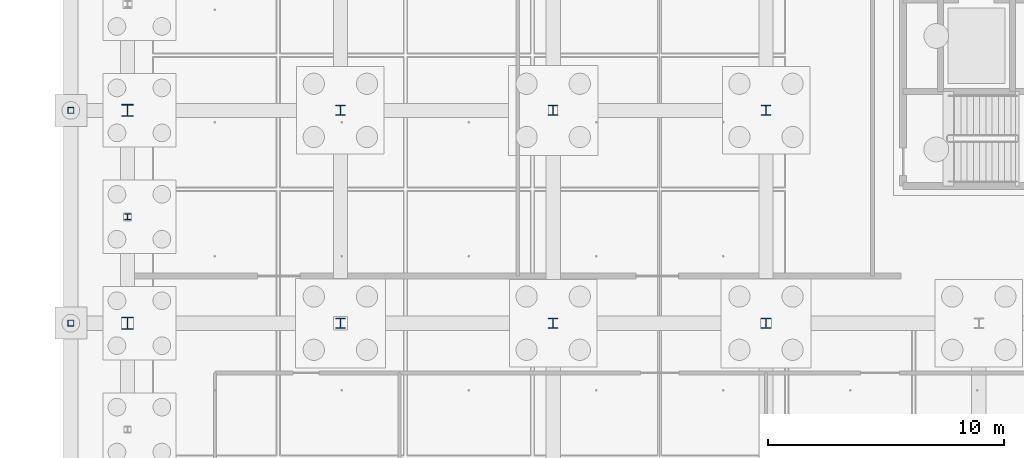
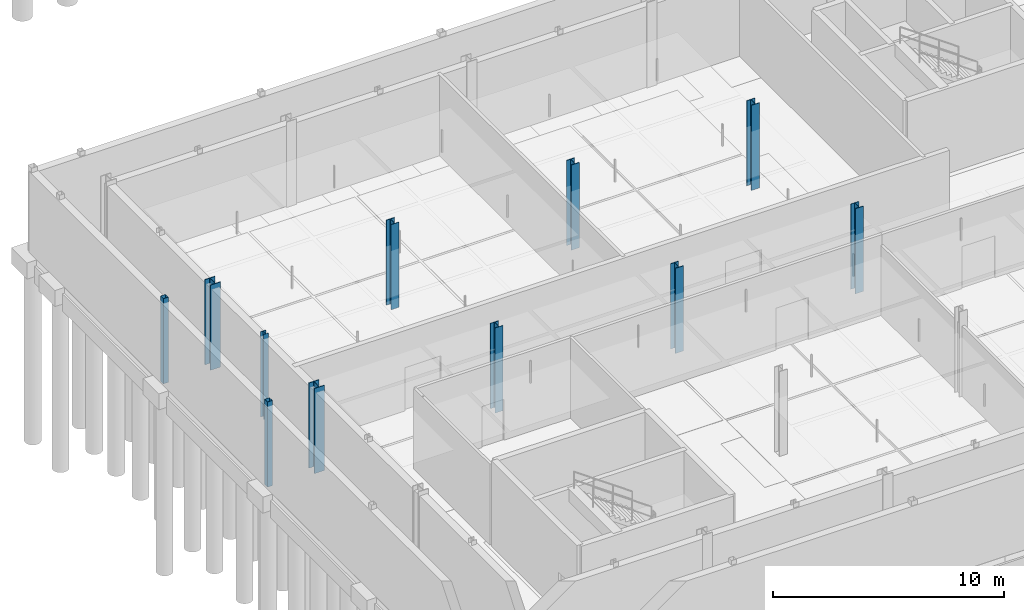
# One storey, part 7 of 48: 11 columns.
"""IFC4 building model written with IfcOpenShell, lengths in metres."""

import ifcopenshell
import ifcopenshell.guid

model = None  # the IFC model being written
_history = None  # IfcOwnerHistory: only IFC2X3 demands one
_inside = {}  # id of a spatial element -> (the spatial element, [elements in it])
_under = {}  # id of a project, library or spatial element -> (it, [spatial elements below it])
_declared = {}  # id of a project -> (the project, [libraries it declares])
_typed = {}  # id of a type object -> (the type object, [elements of that type])
_made_of = {}  # id of a material, layer set ... -> (it, [elements and type objects made of it])


def new_model(schema):
    """Start an empty IFC model of exactly this schema.

    Asked for "IFC4X3", IfcOpenShell would pick the latest addendum, in which some entities
    have other attributes; the version numbers below select the first issue.
    IFC2X3 requires an IfcOwnerHistory on every rooted entity: one is made here for all.
    """
    global model, _history
    if schema == "IFC4X3":
        model = ifcopenshell.file(schema_version=(4, 3, 0, 0))
    else:
        model = ifcopenshell.file(schema=schema)
    _inside.clear()
    _under.clear()
    _declared.clear()
    _typed.clear()
    _made_of.clear()
    _history = None
    if model.schema == "IFC2X3":
        org = make("IfcOrganization", Name="unknown")
        user = make(
            "IfcPersonAndOrganization",
            ThePerson=make("IfcPerson", FamilyName="unknown"),
            TheOrganization=org,
        )
        app = make(
            "IfcApplication",
            ApplicationDeveloper=org,
            Version="unknown",
            ApplicationFullName="unknown",
            ApplicationIdentifier="unknown",
        )
        _history = make(
            "IfcOwnerHistory",
            OwningUser=user,
            OwningApplication=app,
            ChangeAction="ADDED",
            CreationDate=0,
        )
    return model


def make(cls, **values):
    """One entity of the class cls with the attributes given. An attribute that is None is left unset."""
    return model.create_entity(
        cls, **{name: value for name, value in values.items() if value is not None}
    )


def rooted(cls, **values):
    """An entity with a GlobalId (a new one), such as an element, a storey or a relation."""
    return make(cls, GlobalId=ifcopenshell.guid.new(), OwnerHistory=_history, **values)


def si_unit(unit_type, name, prefix=None):
    """IfcSIUnit, for example si_unit("LENGTHUNIT", "METRE", prefix="MILLI")."""
    return make("IfcSIUnit", UnitType=unit_type, Prefix=prefix, Name=name)


def assignment(units):
    """IfcUnitAssignment: the units of a project."""
    return None if units is None else make("IfcUnitAssignment", Units=units)


def point(xyz):
    """IfcCartesianPoint."""
    return None if xyz is None else make("IfcCartesianPoint", Coordinates=xyz)


def direction(xyz):
    """IfcDirection."""
    return None if xyz is None else make("IfcDirection", DirectionRatios=xyz)


def frame(location, z_axis=None, x_axis=None):
    """IfcAxis2Placement3D, a coordinate frame: its origin and axes. An axis left out is left unset."""
    return make(
        "IfcAxis2Placement3D",
        Location=point(location),
        Axis=direction(z_axis),
        RefDirection=direction(x_axis),
    )


def frame_2d(location, x_axis=None):
    """IfcAxis2Placement2D, a coordinate frame in the plane: its origin and x axis."""
    return make(
        "IfcAxis2Placement2D", Location=point(location), RefDirection=direction(x_axis)
    )


def origin():
    """The frame at (0, 0, 0) with its axes left unset."""
    return frame((0.0, 0.0, 0.0))


def origin_2d():
    """The frame at (0, 0) in the plane with its x axis left unset."""
    return frame_2d((0.0, 0.0))


def place(relative_to, where):
    """IfcLocalPlacement: puts the frame where relative to a parent placement (None: the world)."""
    return make(
        "IfcLocalPlacement", PlacementRelTo=relative_to, RelativePlacement=where
    )


def context(
    kind, dimensions, precision=None, world=None, true_north=None, identifier=None
):
    """IfcGeometricRepresentationContext, for example the 3D "Model" context."""
    return make(
        "IfcGeometricRepresentationContext",
        ContextIdentifier=identifier,
        ContextType=kind,
        CoordinateSpaceDimension=dimensions,
        Precision=precision,
        WorldCoordinateSystem=world,
        TrueNorth=true_north,
    )


def subcontext(parent, identifier, kind, view, scale=None):
    """IfcGeometricRepresentationSubContext, for example "Body" below "Model"."""
    return make(
        "IfcGeometricRepresentationSubContext",
        ContextIdentifier=identifier,
        ContextType=kind,
        ParentContext=parent,
        TargetScale=scale,
        TargetView=view,
    )


def project(units=None, contexts=None):
    """IfcProject with its units and contexts."""
    return rooted(
        "IfcProject",
        Name="project",
        RepresentationContexts=contexts,
        UnitsInContext=assignment(units),
    )


def spatial(cls, under=None, at=None, **own):
    """A site, building, storey or space (cls), placed at a placement, below another one or the project."""
    s = rooted(cls, ObjectPlacement=at, **own)
    if under is not None:
        _under.setdefault(under.id(), (under, []))[1].append(s)
    return s


def profile(cls, at=None, kind="AREA", **sizes):
    """A parametric profile (cls). Its sizes go by their IFC names, for example OverallWidth=200.0."""
    return make(cls, ProfileType=kind, Position=at, **sizes)


def hollow_rectangle(**sizes):
    """IfcRectangleHollowProfileDef."""
    return profile("IfcRectangleHollowProfileDef", **sizes)


def i_section(**sizes):
    """IfcIShapeProfileDef."""
    return profile("IfcIShapeProfileDef", **sizes)


def extrude(swept, where, along, depth):
    """IfcExtrudedAreaSolid: the profile swept, set in the frame where, extruded along a direction by depth."""
    return make(
        "IfcExtrudedAreaSolid",
        SweptArea=swept,
        Position=where,
        ExtrudedDirection=direction(along),
        Depth=depth,
    )


def shape(context_of_items, identifier, shape_type, items):
    """IfcShapeRepresentation: the items that make up one representation, for example the "Body"."""
    return make(
        "IfcShapeRepresentation",
        ContextOfItems=context_of_items,
        RepresentationIdentifier=identifier,
        RepresentationType=shape_type,
        Items=items,
    )


def material(Name=None, Category=None):
    """IfcMaterial."""
    return make("IfcMaterial", Name=Name, Category=Category)


def material_profile(
    of_material, cross_section, Name=None, Category=None, Priority=None
):
    """IfcMaterialProfile: a cross section and its material."""
    return make(
        "IfcMaterialProfile",
        Name=Name,
        Material=of_material,
        Profile=cross_section,
        Priority=Priority,
        Category=Category,
    )


def profile_set(profiles, Name=None, composite=None):
    """IfcMaterialProfileSet."""
    return make(
        "IfcMaterialProfileSet",
        Name=Name,
        MaterialProfiles=profiles,
        CompositeProfile=composite,
    )


def made_of(thing, what):
    """Note that an element or type object is made of a material, layer set ...; save() writes the relation."""
    if what is not None:
        _made_of.setdefault(what.id(), (what, []))[1].append(thing)
    return thing


def type_object(cls, material=None, **own):
    """A type object (cls), such as IfcWallType, which elements share."""
    return made_of(rooted(cls, **own), material)


def element(
    cls,
    number,
    at=None,
    inside=None,
    cuts=None,
    type_object=None,
    material=None,
    context=None,
    identifier="Body",
    shape_type=None,
    held_by="IfcProductDefinitionShape",
    body=None,
    shapes=None,
    **own,
):
    """One element of the class cls, such as IfcWall. Its Tag is "e" and its number.

    at: its placement. inside: the storey or other place that contains it. cuts: it is an
    opening in that element (IfcRelVoidsElement). A single representation is given by context,
    identifier, shape_type and body (its items); several are given by shapes. held_by: the class
    of the entity that holds the representations. save() writes the other relations.
    """
    e = rooted(cls, Tag="e%d" % number, ObjectPlacement=at, **own)
    if body is not None:
        shapes = [shape(context, identifier, shape_type, body)]
    if shapes is not None:
        e.Representation = make(held_by, Representations=shapes)
    if inside is not None:
        _inside.setdefault(inside.id(), (inside, []))[1].append(e)
    if cuts is not None:
        rooted(
            "IfcRelVoidsElement", RelatingBuildingElement=cuts, RelatedOpeningElement=e
        )
    if type_object is not None:
        _typed.setdefault(type_object.id(), (type_object, []))[1].append(e)
    return made_of(e, material)


def aggregate(whole, parts):
    """IfcRelAggregates: a whole, such as a stair, and the parts it consists of."""
    return rooted("IfcRelAggregates", RelatingObject=whole, RelatedObjects=parts)


def save(model, path):
    """Write the relations noted so far, then the file.

    IfcRelAggregates (storeys below a building ...), IfcRelContainedInSpatialStructure (elements
    in a storey), IfcRelDefinesByType, IfcRelAssociatesMaterial and IfcRelDeclares: one each for
    every whole, place, type object, material and project.
    """
    for whole, parts in _under.values():
        aggregate(whole, parts)
    for where, things in _inside.values():
        rooted(
            "IfcRelContainedInSpatialStructure",
            RelatedElements=things,
            RelatingStructure=where,
        )
    for kind, things in _typed.values():
        rooted("IfcRelDefinesByType", RelatedObjects=things, RelatingType=kind)
    for what, things in _made_of.values():
        rooted("IfcRelAssociatesMaterial", RelatedObjects=things, RelatingMaterial=what)
    for by, libraries in _declared.values():
        rooted("IfcRelDeclares", RelatingContext=by, RelatedDefinitions=libraries)
    model.write(path)


model = new_model("IFC4")

# Units and contexts
model_context = context("Model", 3, precision=1e-05, world=origin(), true_north=direction((0.0, 1.0)))
body_context = subcontext(model_context, "Body", "Model", "MODEL_VIEW")
ifc_project = project(units=[si_unit("LENGTHUNIT", "METRE"), si_unit("AREAUNIT", "SQUARE_METRE"), si_unit("VOLUMEUNIT", "CUBIC_METRE"), si_unit("PLANEANGLEUNIT", "RADIAN"), si_unit("MASSUNIT", "GRAM", prefix="KILO"), si_unit("THERMODYNAMICTEMPERATUREUNIT", "KELVIN"), si_unit("POWERUNIT", "WATT")], contexts=[model_context])

# Site, building, storey
site_placement = place(None, origin())
site = spatial("IfcSite", under=ifc_project, at=site_placement, CompositionType="ELEMENT")
building_placement = place(site_placement, origin())
building = spatial("IfcBuilding", under=site, at=building_placement, Name="Tallowbark Science Centre", CompositionType="ELEMENT")
storey_placement = place(building_placement, frame((0.0, 0.0, -4.5)))
storey = spatial("IfcBuildingStorey", under=building, at=storey_placement, Name="B1", CompositionType="ELEMENT", Elevation=-4.5)

# Columns
ifc_material_1 = material(Name="White Architectural Painted Steel Grade C350L0 (350 MPa)", Category="steel")
ifc_material_profile_1 = material_profile(ifc_material_1, hollow_rectangle(XDim=0.25, YDim=0.25, WallThickness=0.009033203125, at=origin_2d()), Name="250x250x9.0SHS")
ifc_profile_set_1 = profile_set([ifc_material_profile_1], Name="White Architectural Painted Steel Grade C350L0 (350 MPa)")
column_type_1 = type_object("IfcColumnType", Name="COL-SCR200", PredefinedType="COLUMN", material=ifc_profile_set_1)
for number, where, z_axis, x_axis, name in (
    (1, (56.10009765625, 22.5, 0.0), (0.0, 0.0, 1.0), (1.0, 0.0, 0.0), "Column SCR-W03 B1"),
    (2, (56.10009765625, 31.5, 0.0), (0.0, 0.0, 1.0), (1.0, 0.0, 0.0), "Column SCR-W04 B1"),
):
    element("IfcColumn", number, at=place(storey_placement, frame(where, z_axis=z_axis, x_axis=x_axis)), inside=storey, type_object=column_type_1, Name=name, PredefinedType="COLUMN", context=body_context, shape_type="SweptSolid", body=[
        extrude(hollow_rectangle(XDim=0.25, YDim=0.25, WallThickness=0.009033203125, at=origin_2d()), origin(), (0.0, 0.0, 1.0), 4.5),
    ])
ifc_material_2 = material(Name="Structural Steel Grade 300PLUS (300 MPa)", Category="steel")
ifc_material_profile_2 = material_profile(ifc_material_2, i_section(OverallWidth=0.39990234375, OverallDepth=0.427978515625, WebThickness=0.02001953125, FlangeThickness=0.028076171875, FilletRadius=0.01611328125, at=origin_2d()), Name="400WC270")
ifc_profile_set_2 = profile_set([ifc_material_profile_2], Name="Structural Steel Grade 300PLUS (300 MPa)")
column_type_2 = type_object("IfcColumnType", Name="COL-WC400", PredefinedType="COLUMN", material=ifc_profile_set_2)
for number, where, z_axis, x_axis, name in (
    (3, (67.5, 22.5, 0.0), (0.0, 0.0, 1.0), (1.0, 0.0, 0.0), "Column CUB-M1_2 B1"),
    (4, (67.5, 31.5, 0.0), (0.0, 0.0, 1.0), (1.0, 0.0, 0.0), "Column CUB-M1_3 B1"),
    (5, (76.5, 22.5, 0.0), (0.0, 0.0, 1.0), (1.0, 0.0, 0.0), "Column CUB-M2_2 B1"),
    (6, (76.5, 31.5, 0.0), (0.0, 0.0, 1.0), (1.0, 0.0, 0.0), "Column CUB-M2_3 B1"),
    (7, (85.5, 22.5, 0.0), (0.0, 0.0, 1.0), (1.0, 0.0, 0.0), "Column CUB-M3_2 B1"),
    (8, (85.5, 31.5, 0.0), (0.0, 0.0, 1.0), (1.0, 0.0, 0.0), "Column CUB-M3_3 B1"),
):
    element("IfcColumn", number, at=place(storey_placement, frame(where, z_axis=z_axis, x_axis=x_axis)), inside=storey, type_object=column_type_2, Name=name, PredefinedType="COLUMN", context=body_context, shape_type="SweptSolid", body=[
        extrude(i_section(OverallWidth=0.39990234375, OverallDepth=0.427978515625, WebThickness=0.02001953125, FlangeThickness=0.028076171875, FilletRadius=0.01611328125, at=origin_2d()), origin(), (0.0, 0.0, 1.0), 4.5),
    ])
ifc_material_profile_3 = material_profile(ifc_material_2, i_section(OverallWidth=0.5, OverallDepth=0.513916015625, WebThickness=0.02197265625, FlangeThickness=0.031982421875, FilletRadius=0.01611328125, at=origin_2d()), Name="500WC340")
ifc_profile_set_3 = profile_set([ifc_material_profile_3], Name="Structural Steel Grade 300PLUS (300 MPa)")
column_type_3 = type_object("IfcColumnType", Name="COL-WC500", PredefinedType="COLUMN", material=ifc_profile_set_3)
for number, where, z_axis, x_axis, name in (
    (9, (58.5, 22.5, 0.0), (0.0, 0.0, 1.0), (1.0, 0.0, 0.0), "Column CUB-M0_2 B1"),
    (10, (58.5, 31.5, 0.0), (0.0, 0.0, 1.0), (1.0, 0.0, 0.0), "Column CUB-M0_3 B1"),
):
    element("IfcColumn", number, at=place(storey_placement, frame(where, z_axis=z_axis, x_axis=x_axis)), inside=storey, type_object=column_type_3, Name=name, PredefinedType="COLUMN", context=body_context, shape_type="SweptSolid", body=[
        extrude(i_section(OverallWidth=0.5, OverallDepth=0.513916015625, WebThickness=0.02197265625, FlangeThickness=0.031982421875, FilletRadius=0.01611328125, at=origin_2d()), origin(), (0.0, 0.0, 1.0), 4.5),
    ])
ifc_material_profile_4 = material_profile(ifc_material_2, i_section(OverallWidth=0.256103515625, OverallDepth=0.260009765625, WebThickness=0.010498046875, FlangeThickness=0.017333984375, FilletRadius=0.013916015625, at=origin_2d()), Name="250UC89.5")
ifc_profile_set_4 = profile_set([ifc_material_profile_4], Name="Structural Steel Grade 300PLUS (300 MPa)")
column_type_4 = type_object("IfcColumnType", Name="PIL-UC250", PredefinedType="PILASTER", material=ifc_profile_set_4)
column_placement = place(storey_placement, frame((58.5, 27.0, 0.0), z_axis=(0.0, 0.0, 1.0), x_axis=(1.0, 0.0, 0.0)))
element("IfcColumn", 11, at=column_placement, inside=storey, type_object=column_type_4, Name="Column CUB-PW-2 B1", PredefinedType="PILASTER", context=body_context, shape_type="SweptSolid", body=[
    extrude(i_section(OverallWidth=0.256103515625, OverallDepth=0.260009765625, WebThickness=0.010498046875, FlangeThickness=0.017333984375, FilletRadius=0.013916015625, at=origin_2d()), origin(), (0.0, 0.0, 1.0), 4.5),
])

save(model, "model.ifc")
